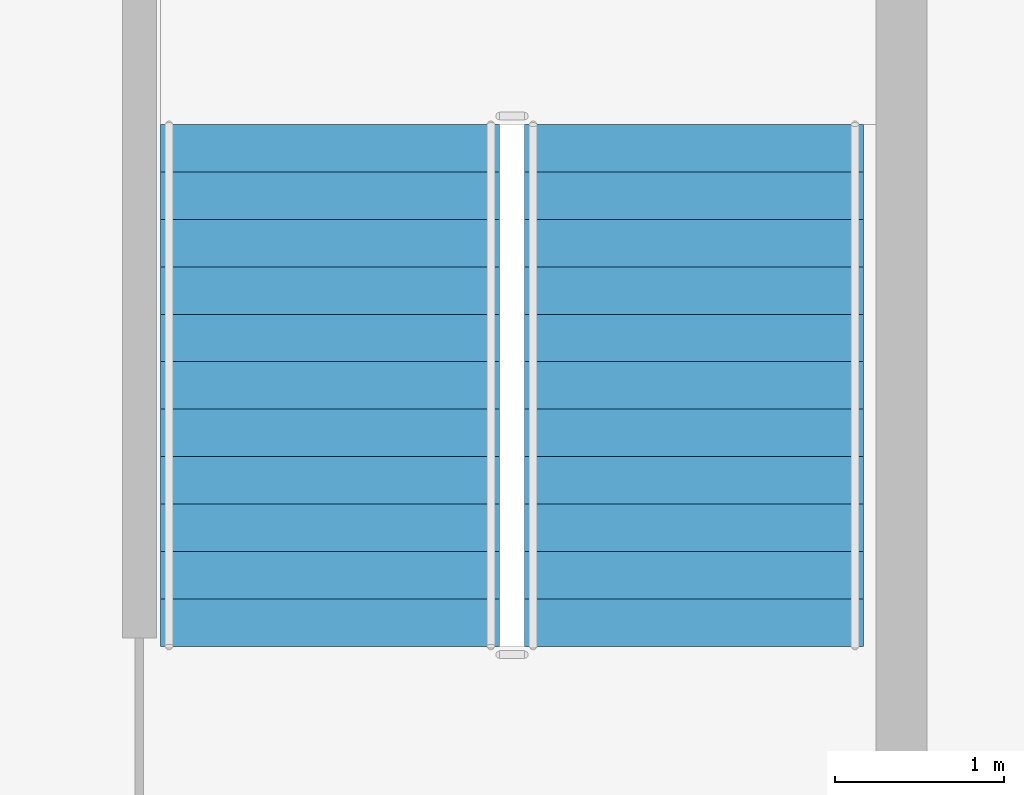
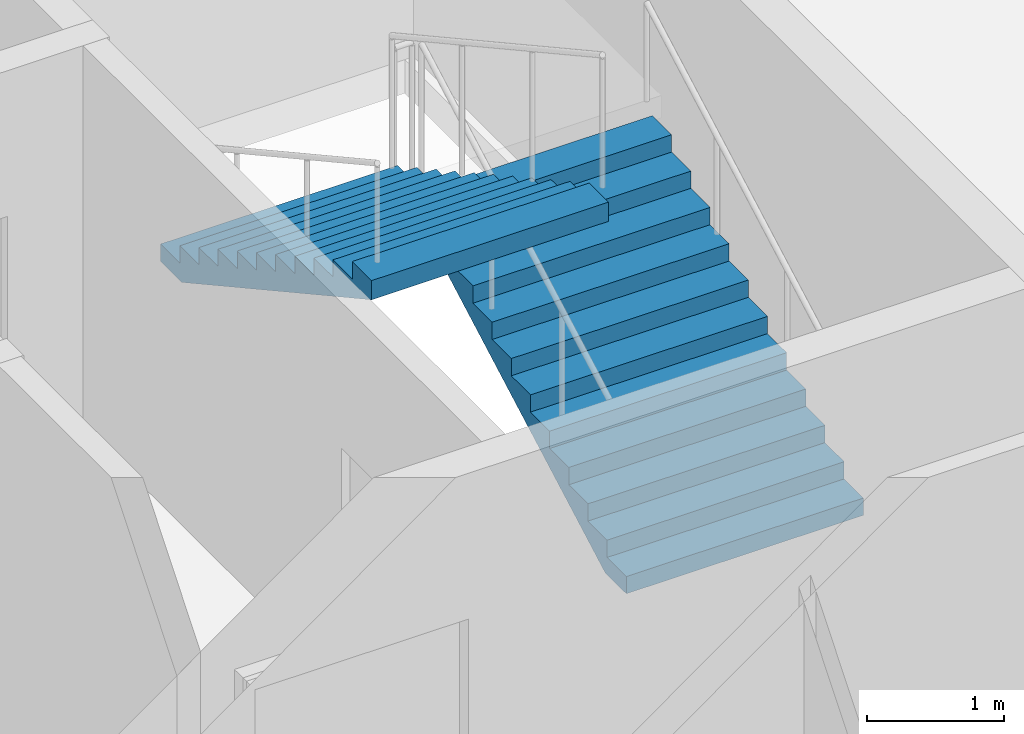
# One storey, part 9 of 11: 2 stair flights, 1 element without a shape of its own.
"""IFC4 building model written with IfcOpenShell, lengths in metres."""

from ifc_helpers import new_model, si_unit, direction, frame, origin, place, context, subcontext, project, spatial, polygons, material, type_object, element, aggregate, save


model = new_model("IFC4")

# Units and contexts
model_context = context("Model", 3, precision=1e-05, world=origin(), true_north=direction((0.0, 1.0)))
body_context = subcontext(model_context, "Body", "Model", "MODEL_VIEW")
ifc_project = project(units=[si_unit("LENGTHUNIT", "METRE"), si_unit("AREAUNIT", "SQUARE_METRE"), si_unit("VOLUMEUNIT", "CUBIC_METRE"), si_unit("PLANEANGLEUNIT", "RADIAN"), si_unit("MASSUNIT", "GRAM", prefix="KILO")], contexts=[model_context])

# Site, building, storey
site_placement = place(None, origin())
site = spatial("IfcSite", under=ifc_project, at=site_placement, CompositionType="ELEMENT")
building_placement = place(site_placement, origin())
building = spatial("IfcBuilding", under=site, at=building_placement, Name="Caravel Reach Hotel and Residences", CompositionType="ELEMENT")
storey_placement = place(building_placement, frame((0.0, 0.0, 225.699951171875)))
storey = spatial("IfcBuildingStorey", under=building, at=storey_placement, Name="L57", CompositionType="ELEMENT", Elevation=225.699951171875)

# Stair, stair flights
ifc_material_1 = material(Name="Concrete C40", Category="concrete")
stair_type = type_object("IfcStairType", Name="Core stair", PredefinedType="HALF_TURN_STAIR", material=ifc_material_1)
stair_placement = place(storey_placement, origin())
stair = element("IfcStair", 1, at=stair_placement, inside=storey, type_object=stair_type, Name="L57 Exit stair B", PredefinedType="HALF_TURN_STAIR")
ifc_material_2 = material(Name="Concrete C40", Category="concrete")
stair_flight_type = type_object("IfcStairFlightType", Name="Core stair flight", PredefinedType="STRAIGHT", material=ifc_material_2)
stair_flight_1_placement = place(storey_placement, frame((43.77490234375, 24.64990234375, 0.0), z_axis=(0.0, 0.0, 1.0), x_axis=(0.0, 1.0, 0.0)))
stair_flight_1 = element("IfcStairFlight", 2, at=stair_flight_1_placement, type_object=stair_flight_type, Name="ST-B flight 1", NumberOfRisers=12, NumberOfTreads=11, PredefinedType="STRAIGHT", RiserHeight=0.154166667, TreadLength=0.28, context=body_context, shape_type="Tessellation", body=[
    polygons([(0.3107950034306102, 1.0, 0.0), (0.3107950034306102, 0.6666666666666667, 0.0), (0.3107950034306102, 0.33333333333333337, 0.0), (0.3107950034306102, 0.0, 0.0), (0.3107950034306102, -0.33333333333333326, 0.0), (0.3107950034306102, -0.6666666666666667, 0.0), (0.3107950034306102, -1.0, 0.0), (3.081, 1.0, 1.524711087717319), (3.081, 0.6666666666666667, 1.524711087717319), (3.081, 0.33333333333333337, 1.524711087717319), (3.081, 0.0, 1.524711087717319), (3.081, -0.33333333333333326, 1.524711087717319), (3.081, -0.6666666666666667, 1.524711087717319), (3.081, -1.0, 1.524711087717319), (3.081, 1.0, 1.695833337), (3.081, 0.6666666666666667, 1.695833337), (3.081, 0.33333333333333337, 1.695833337), (3.081, 0.0, 1.695833337), (3.081, -0.33333333333333326, 1.695833337), (3.081, -0.6666666666666667, 1.695833337), (3.081, -1.0, 1.695833337), (2.8000000000000003, 1.0, 1.695833337), (2.8000000000000003, 0.6666666666666667, 1.695833337), (2.8000000000000003, 0.33333333333333337, 1.695833337), (2.8000000000000003, 0.0, 1.695833337), (2.8000000000000003, -0.33333333333333326, 1.695833337), (2.8000000000000003, -0.6666666666666667, 1.695833337), (2.8000000000000003, -1.0, 1.695833337), (2.8000000000000003, 1.0, 1.5416666700000001), (2.8000000000000003, 0.6666666666666667, 1.5416666700000001), (2.8000000000000003, 0.33333333333333337, 1.5416666700000001), (2.8000000000000003, 0.0, 1.5416666700000001), (2.8000000000000003, -0.33333333333333326, 1.5416666700000001), (2.8000000000000003, -0.6666666666666667, 1.5416666700000001), (2.8000000000000003, -1.0, 1.5416666700000001), (2.5200000000000005, 1.0, 1.5416666700000001), (2.5200000000000005, 0.6666666666666667, 1.5416666700000001), (2.5200000000000005, 0.33333333333333337, 1.5416666700000001), (2.5200000000000005, 0.0, 1.5416666700000001), (2.5200000000000005, -0.33333333333333326, 1.5416666700000001), (2.5200000000000005, -0.6666666666666667, 1.5416666700000001), (2.5200000000000005, -1.0, 1.5416666700000001), (2.5200000000000005, 1.0, 1.387500003), (2.5200000000000005, 0.6666666666666667, 1.387500003), (2.5200000000000005, 0.33333333333333337, 1.387500003), (2.5200000000000005, 0.0, 1.387500003), (2.5200000000000005, -0.33333333333333326, 1.387500003), (2.5200000000000005, -0.6666666666666667, 1.387500003), (2.5200000000000005, -1.0, 1.387500003), (2.24, 1.0, 1.387500003), (2.24, 0.6666666666666667, 1.387500003), (2.24, 0.33333333333333337, 1.387500003), (2.24, 0.0, 1.387500003), (2.24, -0.33333333333333326, 1.387500003), (2.24, -0.6666666666666667, 1.387500003), (2.24, -1.0, 1.387500003), (2.24, 1.0, 1.233333336), (2.24, 0.6666666666666667, 1.233333336), (2.24, 0.33333333333333337, 1.233333336), (2.24, 0.0, 1.233333336), (2.24, -0.33333333333333326, 1.233333336), (2.24, -0.6666666666666667, 1.233333336), (2.24, -1.0, 1.233333336), (1.9600000000000002, 1.0, 1.233333336), (1.9600000000000002, 0.6666666666666667, 1.233333336), (1.9600000000000002, 0.33333333333333337, 1.233333336), (1.9600000000000002, 0.0, 1.233333336), (1.9600000000000002, -0.33333333333333326, 1.233333336), (1.9600000000000002, -0.6666666666666667, 1.233333336), (1.9600000000000002, -1.0, 1.233333336), (1.9600000000000002, 1.0, 1.0791666690000001), (1.9600000000000002, 0.6666666666666667, 1.0791666690000001), (1.9600000000000002, 0.33333333333333337, 1.0791666690000001), (1.9600000000000002, 0.0, 1.0791666690000001), (1.9600000000000002, -0.33333333333333326, 1.0791666690000001), (1.9600000000000002, -0.6666666666666667, 1.0791666690000001), (1.9600000000000002, -1.0, 1.0791666690000001), (1.6800000000000002, 1.0, 1.0791666690000001), (1.6800000000000002, 0.6666666666666667, 1.0791666690000001), (1.6800000000000002, 0.33333333333333337, 1.0791666690000001), (1.6800000000000002, 0.0, 1.0791666690000001), (1.6800000000000002, -0.33333333333333326, 1.0791666690000001), (1.6800000000000002, -0.6666666666666667, 1.0791666690000001), (1.6800000000000002, -1.0, 1.0791666690000001), (1.6800000000000002, 1.0, 0.925000002), (1.6800000000000002, 0.6666666666666667, 0.925000002), (1.6800000000000002, 0.33333333333333337, 0.925000002), (1.6800000000000002, 0.0, 0.925000002), (1.6800000000000002, -0.33333333333333326, 0.925000002), (1.6800000000000002, -0.6666666666666667, 0.925000002), (1.6800000000000002, -1.0, 0.925000002), (1.4000000000000001, 1.0, 0.925000002), (1.4000000000000001, 0.6666666666666667, 0.925000002), (1.4000000000000001, 0.33333333333333337, 0.925000002), (1.4000000000000001, 0.0, 0.925000002), (1.4000000000000001, -0.33333333333333326, 0.925000002), (1.4000000000000001, -0.6666666666666667, 0.925000002), (1.4000000000000001, -1.0, 0.925000002), (1.4000000000000001, 1.0, 0.7708333350000001), (1.4000000000000001, 0.6666666666666667, 0.7708333350000001), (1.4000000000000001, 0.33333333333333337, 0.7708333350000001), (1.4000000000000001, 0.0, 0.7708333350000001), (1.4000000000000001, -0.33333333333333326, 0.7708333350000001), (1.4000000000000001, -0.6666666666666667, 0.7708333350000001), (1.4000000000000001, -1.0, 0.7708333350000001), (1.12, 1.0, 0.7708333350000001), (1.12, 0.6666666666666667, 0.7708333350000001), (1.12, 0.33333333333333337, 0.7708333350000001), (1.12, 0.0, 0.7708333350000001), (1.12, -0.33333333333333326, 0.7708333350000001), (1.12, -0.6666666666666667, 0.7708333350000001), (1.12, -1.0, 0.7708333350000001), (1.12, 1.0, 0.616666668), (1.12, 0.6666666666666667, 0.616666668), (1.12, 0.33333333333333337, 0.616666668), (1.12, 0.0, 0.616666668), (1.12, -0.33333333333333326, 0.616666668), (1.12, -0.6666666666666667, 0.616666668), (1.12, -1.0, 0.616666668), (0.8400000000000001, 1.0, 0.616666668), (0.8400000000000001, 0.6666666666666667, 0.616666668), (0.8400000000000001, 0.33333333333333337, 0.616666668), (0.8400000000000001, 0.0, 0.616666668), (0.8400000000000001, -0.33333333333333326, 0.616666668), (0.8400000000000001, -0.6666666666666667, 0.616666668), (0.8400000000000001, -1.0, 0.616666668), (0.8400000000000001, 1.0, 0.462500001), (0.8400000000000001, 0.6666666666666667, 0.462500001), (0.8400000000000001, 0.33333333333333337, 0.462500001), (0.8400000000000001, 0.0, 0.462500001), (0.8400000000000001, -0.33333333333333326, 0.462500001), (0.8400000000000001, -0.6666666666666667, 0.462500001), (0.8400000000000001, -1.0, 0.462500001), (0.56, 1.0, 0.462500001), (0.56, 0.6666666666666667, 0.462500001), (0.56, 0.33333333333333337, 0.462500001), (0.56, 0.0, 0.462500001), (0.56, -0.33333333333333326, 0.462500001), (0.56, -0.6666666666666667, 0.462500001), (0.56, -1.0, 0.462500001), (0.56, 1.0, 0.308333334), (0.56, 0.6666666666666667, 0.308333334), (0.56, 0.33333333333333337, 0.308333334), (0.56, 0.0, 0.308333334), (0.56, -0.33333333333333326, 0.308333334), (0.56, -0.6666666666666667, 0.308333334), (0.56, -1.0, 0.308333334), (0.28, 1.0, 0.308333334), (0.28, 0.6666666666666667, 0.308333334), (0.28, 0.33333333333333337, 0.308333334), (0.28, 0.0, 0.308333334), (0.28, -0.33333333333333326, 0.308333334), (0.28, -0.6666666666666667, 0.308333334), (0.28, -1.0, 0.308333334), (0.28, 1.0, 0.154166667), (0.28, 0.6666666666666667, 0.154166667), (0.28, 0.33333333333333337, 0.154166667), (0.28, 0.0, 0.154166667), (0.28, -0.33333333333333326, 0.154166667), (0.28, -0.6666666666666667, 0.154166667), (0.28, -1.0, 0.154166667), (-0.001, 1.0, 0.154166667), (-0.001, 0.6666666666666667, 0.154166667), (-0.001, 0.33333333333333337, 0.154166667), (-0.001, 0.0, 0.154166667), (-0.001, -0.33333333333333326, 0.154166667), (-0.001, -0.6666666666666667, 0.154166667), (-0.001, -1.0, 0.154166667), (-0.001, 1.0, 0.0), (-0.001, 0.6666666666666667, 0.0), (-0.001, 0.33333333333333337, 0.0), (-0.001, 0.0, 0.0), (-0.001, -0.33333333333333326, 0.0), (-0.001, -0.6666666666666667, 0.0), (-0.001, -1.0, 0.0)], [[[169, 162, 155, 148, 141, 134, 127, 120, 113, 106, 99, 92, 85, 78, 71, 64, 57, 50, 43, 36, 29, 22, 15, 8, 1]], [[7, 14, 21, 28, 35, 42, 49, 56, 63, 70, 77, 84, 91, 98, 105, 112, 119, 126, 133, 140, 147, 154, 161, 168, 175]], [[1, 8, 9, 2]], [[2, 9, 10, 3]], [[3, 10, 11, 4]], [[4, 11, 12, 5]], [[5, 12, 13, 6]], [[6, 13, 14, 7]], [[8, 15, 16, 9]], [[9, 16, 17, 10]], [[10, 17, 18, 11]], [[11, 18, 19, 12]], [[12, 19, 20, 13]], [[13, 20, 21, 14]], [[15, 22, 23, 16]], [[16, 23, 24, 17]], [[17, 24, 25, 18]], [[18, 25, 26, 19]], [[19, 26, 27, 20]], [[20, 27, 28, 21]], [[22, 29, 30, 23]], [[23, 30, 31, 24]], [[24, 31, 32, 25]], [[25, 32, 33, 26]], [[26, 33, 34, 27]], [[27, 34, 35, 28]], [[29, 36, 37, 30]], [[30, 37, 38, 31]], [[31, 38, 39, 32]], [[32, 39, 40, 33]], [[33, 40, 41, 34]], [[34, 41, 42, 35]], [[36, 43, 44, 37]], [[37, 44, 45, 38]], [[38, 45, 46, 39]], [[39, 46, 47, 40]], [[40, 47, 48, 41]], [[41, 48, 49, 42]], [[43, 50, 51, 44]], [[44, 51, 52, 45]], [[45, 52, 53, 46]], [[46, 53, 54, 47]], [[47, 54, 55, 48]], [[48, 55, 56, 49]], [[50, 57, 58, 51]], [[51, 58, 59, 52]], [[52, 59, 60, 53]], [[53, 60, 61, 54]], [[54, 61, 62, 55]], [[55, 62, 63, 56]], [[57, 64, 65, 58]], [[58, 65, 66, 59]], [[59, 66, 67, 60]], [[60, 67, 68, 61]], [[61, 68, 69, 62]], [[62, 69, 70, 63]], [[64, 71, 72, 65]], [[65, 72, 73, 66]], [[66, 73, 74, 67]], [[67, 74, 75, 68]], [[68, 75, 76, 69]], [[69, 76, 77, 70]], [[71, 78, 79, 72]], [[72, 79, 80, 73]], [[73, 80, 81, 74]], [[74, 81, 82, 75]], [[75, 82, 83, 76]], [[76, 83, 84, 77]], [[78, 85, 86, 79]], [[79, 86, 87, 80]], [[80, 87, 88, 81]], [[81, 88, 89, 82]], [[82, 89, 90, 83]], [[83, 90, 91, 84]], [[85, 92, 93, 86]], [[86, 93, 94, 87]], [[87, 94, 95, 88]], [[88, 95, 96, 89]], [[89, 96, 97, 90]], [[90, 97, 98, 91]], [[92, 99, 100, 93]], [[93, 100, 101, 94]], [[94, 101, 102, 95]], [[95, 102, 103, 96]], [[96, 103, 104, 97]], [[97, 104, 105, 98]], [[99, 106, 107, 100]], [[100, 107, 108, 101]], [[101, 108, 109, 102]], [[102, 109, 110, 103]], [[103, 110, 111, 104]], [[104, 111, 112, 105]], [[106, 113, 114, 107]], [[107, 114, 115, 108]], [[108, 115, 116, 109]], [[109, 116, 117, 110]], [[110, 117, 118, 111]], [[111, 118, 119, 112]], [[113, 120, 121, 114]], [[114, 121, 122, 115]], [[115, 122, 123, 116]], [[116, 123, 124, 117]], [[117, 124, 125, 118]], [[118, 125, 126, 119]], [[120, 127, 128, 121]], [[121, 128, 129, 122]], [[122, 129, 130, 123]], [[123, 130, 131, 124]], [[124, 131, 132, 125]], [[125, 132, 133, 126]], [[127, 134, 135, 128]], [[128, 135, 136, 129]], [[129, 136, 137, 130]], [[130, 137, 138, 131]], [[131, 138, 139, 132]], [[132, 139, 140, 133]], [[134, 141, 142, 135]], [[135, 142, 143, 136]], [[136, 143, 144, 137]], [[137, 144, 145, 138]], [[138, 145, 146, 139]], [[139, 146, 147, 140]], [[141, 148, 149, 142]], [[142, 149, 150, 143]], [[143, 150, 151, 144]], [[144, 151, 152, 145]], [[145, 152, 153, 146]], [[146, 153, 154, 147]], [[148, 155, 156, 149]], [[149, 156, 157, 150]], [[150, 157, 158, 151]], [[151, 158, 159, 152]], [[152, 159, 160, 153]], [[153, 160, 161, 154]], [[155, 162, 163, 156]], [[156, 163, 164, 157]], [[157, 164, 165, 158]], [[158, 165, 166, 159]], [[159, 166, 167, 160]], [[160, 167, 168, 161]], [[162, 169, 170, 163]], [[163, 170, 171, 164]], [[164, 171, 172, 165]], [[165, 172, 173, 166]], [[166, 173, 174, 167]], [[167, 174, 175, 168]], [[169, 1, 2, 170]], [[170, 2, 3, 171]], [[171, 3, 4, 172]], [[172, 4, 5, 173]], [[173, 5, 6, 174]], [[174, 6, 7, 175]]], closed=True),
])
stair_flight_2_placement = place(storey_placement, frame((41.625, 27.72998046875, 1.85009765625), z_axis=(0.0, 0.0, 1.0), x_axis=(0.0, -1.0, 0.0)))
stair_flight_2 = element("IfcStairFlight", 3, at=stair_flight_2_placement, type_object=stair_flight_type, Name="ST-B flight 2", NumberOfRisers=12, NumberOfTreads=11, PredefinedType="STRAIGHT", RiserHeight=0.154166667, TreadLength=0.28, context=body_context, shape_type="Tessellation", body=[
    polygons([(0.3107950034306102, 1.0, 0.0), (0.3107950034306102, 0.6666666666666667, 0.0), (0.3107950034306102, 0.33333333333333337, 0.0), (0.3107950034306102, 0.0, 0.0), (0.3107950034306102, -0.33333333333333326, 0.0), (0.3107950034306102, -0.6666666666666667, 0.0), (0.3107950034306102, -1.0, 0.0), (3.081, 1.0, 1.524711087717319), (3.081, 0.6666666666666667, 1.524711087717319), (3.081, 0.33333333333333337, 1.524711087717319), (3.081, 0.0, 1.524711087717319), (3.081, -0.33333333333333326, 1.524711087717319), (3.081, -0.6666666666666667, 1.524711087717319), (3.081, -1.0, 1.524711087717319), (3.081, 1.0, 1.695833337), (3.081, 0.6666666666666667, 1.695833337), (3.081, 0.33333333333333337, 1.695833337), (3.081, 0.0, 1.695833337), (3.081, -0.33333333333333326, 1.695833337), (3.081, -0.6666666666666667, 1.695833337), (3.081, -1.0, 1.695833337), (2.8000000000000003, 1.0, 1.695833337), (2.8000000000000003, 0.6666666666666667, 1.695833337), (2.8000000000000003, 0.33333333333333337, 1.695833337), (2.8000000000000003, 0.0, 1.695833337), (2.8000000000000003, -0.33333333333333326, 1.695833337), (2.8000000000000003, -0.6666666666666667, 1.695833337), (2.8000000000000003, -1.0, 1.695833337), (2.8000000000000003, 1.0, 1.5416666700000001), (2.8000000000000003, 0.6666666666666667, 1.5416666700000001), (2.8000000000000003, 0.33333333333333337, 1.5416666700000001), (2.8000000000000003, 0.0, 1.5416666700000001), (2.8000000000000003, -0.33333333333333326, 1.5416666700000001), (2.8000000000000003, -0.6666666666666667, 1.5416666700000001), (2.8000000000000003, -1.0, 1.5416666700000001), (2.5200000000000005, 1.0, 1.5416666700000001), (2.5200000000000005, 0.6666666666666667, 1.5416666700000001), (2.5200000000000005, 0.33333333333333337, 1.5416666700000001), (2.5200000000000005, 0.0, 1.5416666700000001), (2.5200000000000005, -0.33333333333333326, 1.5416666700000001), (2.5200000000000005, -0.6666666666666667, 1.5416666700000001), (2.5200000000000005, -1.0, 1.5416666700000001), (2.5200000000000005, 1.0, 1.387500003), (2.5200000000000005, 0.6666666666666667, 1.387500003), (2.5200000000000005, 0.33333333333333337, 1.387500003), (2.5200000000000005, 0.0, 1.387500003), (2.5200000000000005, -0.33333333333333326, 1.387500003), (2.5200000000000005, -0.6666666666666667, 1.387500003), (2.5200000000000005, -1.0, 1.387500003), (2.24, 1.0, 1.387500003), (2.24, 0.6666666666666667, 1.387500003), (2.24, 0.33333333333333337, 1.387500003), (2.24, 0.0, 1.387500003), (2.24, -0.33333333333333326, 1.387500003), (2.24, -0.6666666666666667, 1.387500003), (2.24, -1.0, 1.387500003), (2.24, 1.0, 1.233333336), (2.24, 0.6666666666666667, 1.233333336), (2.24, 0.33333333333333337, 1.233333336), (2.24, 0.0, 1.233333336), (2.24, -0.33333333333333326, 1.233333336), (2.24, -0.6666666666666667, 1.233333336), (2.24, -1.0, 1.233333336), (1.9600000000000002, 1.0, 1.233333336), (1.9600000000000002, 0.6666666666666667, 1.233333336), (1.9600000000000002, 0.33333333333333337, 1.233333336), (1.9600000000000002, 0.0, 1.233333336), (1.9600000000000002, -0.33333333333333326, 1.233333336), (1.9600000000000002, -0.6666666666666667, 1.233333336), (1.9600000000000002, -1.0, 1.233333336), (1.9600000000000002, 1.0, 1.0791666690000001), (1.9600000000000002, 0.6666666666666667, 1.0791666690000001), (1.9600000000000002, 0.33333333333333337, 1.0791666690000001), (1.9600000000000002, 0.0, 1.0791666690000001), (1.9600000000000002, -0.33333333333333326, 1.0791666690000001), (1.9600000000000002, -0.6666666666666667, 1.0791666690000001), (1.9600000000000002, -1.0, 1.0791666690000001), (1.6800000000000002, 1.0, 1.0791666690000001), (1.6800000000000002, 0.6666666666666667, 1.0791666690000001), (1.6800000000000002, 0.33333333333333337, 1.0791666690000001), (1.6800000000000002, 0.0, 1.0791666690000001), (1.6800000000000002, -0.33333333333333326, 1.0791666690000001), (1.6800000000000002, -0.6666666666666667, 1.0791666690000001), (1.6800000000000002, -1.0, 1.0791666690000001), (1.6800000000000002, 1.0, 0.925000002), (1.6800000000000002, 0.6666666666666667, 0.925000002), (1.6800000000000002, 0.33333333333333337, 0.925000002), (1.6800000000000002, 0.0, 0.925000002), (1.6800000000000002, -0.33333333333333326, 0.925000002), (1.6800000000000002, -0.6666666666666667, 0.925000002), (1.6800000000000002, -1.0, 0.925000002), (1.4000000000000001, 1.0, 0.925000002), (1.4000000000000001, 0.6666666666666667, 0.925000002), (1.4000000000000001, 0.33333333333333337, 0.925000002), (1.4000000000000001, 0.0, 0.925000002), (1.4000000000000001, -0.33333333333333326, 0.925000002), (1.4000000000000001, -0.6666666666666667, 0.925000002), (1.4000000000000001, -1.0, 0.925000002), (1.4000000000000001, 1.0, 0.7708333350000001), (1.4000000000000001, 0.6666666666666667, 0.7708333350000001), (1.4000000000000001, 0.33333333333333337, 0.7708333350000001), (1.4000000000000001, 0.0, 0.7708333350000001), (1.4000000000000001, -0.33333333333333326, 0.7708333350000001), (1.4000000000000001, -0.6666666666666667, 0.7708333350000001), (1.4000000000000001, -1.0, 0.7708333350000001), (1.12, 1.0, 0.7708333350000001), (1.12, 0.6666666666666667, 0.7708333350000001), (1.12, 0.33333333333333337, 0.7708333350000001), (1.12, 0.0, 0.7708333350000001), (1.12, -0.33333333333333326, 0.7708333350000001), (1.12, -0.6666666666666667, 0.7708333350000001), (1.12, -1.0, 0.7708333350000001), (1.12, 1.0, 0.616666668), (1.12, 0.6666666666666667, 0.616666668), (1.12, 0.33333333333333337, 0.616666668), (1.12, 0.0, 0.616666668), (1.12, -0.33333333333333326, 0.616666668), (1.12, -0.6666666666666667, 0.616666668), (1.12, -1.0, 0.616666668), (0.8400000000000001, 1.0, 0.616666668), (0.8400000000000001, 0.6666666666666667, 0.616666668), (0.8400000000000001, 0.33333333333333337, 0.616666668), (0.8400000000000001, 0.0, 0.616666668), (0.8400000000000001, -0.33333333333333326, 0.616666668), (0.8400000000000001, -0.6666666666666667, 0.616666668), (0.8400000000000001, -1.0, 0.616666668), (0.8400000000000001, 1.0, 0.462500001), (0.8400000000000001, 0.6666666666666667, 0.462500001), (0.8400000000000001, 0.33333333333333337, 0.462500001), (0.8400000000000001, 0.0, 0.462500001), (0.8400000000000001, -0.33333333333333326, 0.462500001), (0.8400000000000001, -0.6666666666666667, 0.462500001), (0.8400000000000001, -1.0, 0.462500001), (0.56, 1.0, 0.462500001), (0.56, 0.6666666666666667, 0.462500001), (0.56, 0.33333333333333337, 0.462500001), (0.56, 0.0, 0.462500001), (0.56, -0.33333333333333326, 0.462500001), (0.56, -0.6666666666666667, 0.462500001), (0.56, -1.0, 0.462500001), (0.56, 1.0, 0.308333334), (0.56, 0.6666666666666667, 0.308333334), (0.56, 0.33333333333333337, 0.308333334), (0.56, 0.0, 0.308333334), (0.56, -0.33333333333333326, 0.308333334), (0.56, -0.6666666666666667, 0.308333334), (0.56, -1.0, 0.308333334), (0.28, 1.0, 0.308333334), (0.28, 0.6666666666666667, 0.308333334), (0.28, 0.33333333333333337, 0.308333334), (0.28, 0.0, 0.308333334), (0.28, -0.33333333333333326, 0.308333334), (0.28, -0.6666666666666667, 0.308333334), (0.28, -1.0, 0.308333334), (0.28, 1.0, 0.154166667), (0.28, 0.6666666666666667, 0.154166667), (0.28, 0.33333333333333337, 0.154166667), (0.28, 0.0, 0.154166667), (0.28, -0.33333333333333326, 0.154166667), (0.28, -0.6666666666666667, 0.154166667), (0.28, -1.0, 0.154166667), (-0.001, 1.0, 0.154166667), (-0.001, 0.6666666666666667, 0.154166667), (-0.001, 0.33333333333333337, 0.154166667), (-0.001, 0.0, 0.154166667), (-0.001, -0.33333333333333326, 0.154166667), (-0.001, -0.6666666666666667, 0.154166667), (-0.001, -1.0, 0.154166667), (-0.001, 1.0, 0.0), (-0.001, 0.6666666666666667, 0.0), (-0.001, 0.33333333333333337, 0.0), (-0.001, 0.0, 0.0), (-0.001, -0.33333333333333326, 0.0), (-0.001, -0.6666666666666667, 0.0), (-0.001, -1.0, 0.0)], [[[169, 162, 155, 148, 141, 134, 127, 120, 113, 106, 99, 92, 85, 78, 71, 64, 57, 50, 43, 36, 29, 22, 15, 8, 1]], [[7, 14, 21, 28, 35, 42, 49, 56, 63, 70, 77, 84, 91, 98, 105, 112, 119, 126, 133, 140, 147, 154, 161, 168, 175]], [[1, 8, 9, 2]], [[2, 9, 10, 3]], [[3, 10, 11, 4]], [[4, 11, 12, 5]], [[5, 12, 13, 6]], [[6, 13, 14, 7]], [[8, 15, 16, 9]], [[9, 16, 17, 10]], [[10, 17, 18, 11]], [[11, 18, 19, 12]], [[12, 19, 20, 13]], [[13, 20, 21, 14]], [[15, 22, 23, 16]], [[16, 23, 24, 17]], [[17, 24, 25, 18]], [[18, 25, 26, 19]], [[19, 26, 27, 20]], [[20, 27, 28, 21]], [[22, 29, 30, 23]], [[23, 30, 31, 24]], [[24, 31, 32, 25]], [[25, 32, 33, 26]], [[26, 33, 34, 27]], [[27, 34, 35, 28]], [[29, 36, 37, 30]], [[30, 37, 38, 31]], [[31, 38, 39, 32]], [[32, 39, 40, 33]], [[33, 40, 41, 34]], [[34, 41, 42, 35]], [[36, 43, 44, 37]], [[37, 44, 45, 38]], [[38, 45, 46, 39]], [[39, 46, 47, 40]], [[40, 47, 48, 41]], [[41, 48, 49, 42]], [[43, 50, 51, 44]], [[44, 51, 52, 45]], [[45, 52, 53, 46]], [[46, 53, 54, 47]], [[47, 54, 55, 48]], [[48, 55, 56, 49]], [[50, 57, 58, 51]], [[51, 58, 59, 52]], [[52, 59, 60, 53]], [[53, 60, 61, 54]], [[54, 61, 62, 55]], [[55, 62, 63, 56]], [[57, 64, 65, 58]], [[58, 65, 66, 59]], [[59, 66, 67, 60]], [[60, 67, 68, 61]], [[61, 68, 69, 62]], [[62, 69, 70, 63]], [[64, 71, 72, 65]], [[65, 72, 73, 66]], [[66, 73, 74, 67]], [[67, 74, 75, 68]], [[68, 75, 76, 69]], [[69, 76, 77, 70]], [[71, 78, 79, 72]], [[72, 79, 80, 73]], [[73, 80, 81, 74]], [[74, 81, 82, 75]], [[75, 82, 83, 76]], [[76, 83, 84, 77]], [[78, 85, 86, 79]], [[79, 86, 87, 80]], [[80, 87, 88, 81]], [[81, 88, 89, 82]], [[82, 89, 90, 83]], [[83, 90, 91, 84]], [[85, 92, 93, 86]], [[86, 93, 94, 87]], [[87, 94, 95, 88]], [[88, 95, 96, 89]], [[89, 96, 97, 90]], [[90, 97, 98, 91]], [[92, 99, 100, 93]], [[93, 100, 101, 94]], [[94, 101, 102, 95]], [[95, 102, 103, 96]], [[96, 103, 104, 97]], [[97, 104, 105, 98]], [[99, 106, 107, 100]], [[100, 107, 108, 101]], [[101, 108, 109, 102]], [[102, 109, 110, 103]], [[103, 110, 111, 104]], [[104, 111, 112, 105]], [[106, 113, 114, 107]], [[107, 114, 115, 108]], [[108, 115, 116, 109]], [[109, 116, 117, 110]], [[110, 117, 118, 111]], [[111, 118, 119, 112]], [[113, 120, 121, 114]], [[114, 121, 122, 115]], [[115, 122, 123, 116]], [[116, 123, 124, 117]], [[117, 124, 125, 118]], [[118, 125, 126, 119]], [[120, 127, 128, 121]], [[121, 128, 129, 122]], [[122, 129, 130, 123]], [[123, 130, 131, 124]], [[124, 131, 132, 125]], [[125, 132, 133, 126]], [[127, 134, 135, 128]], [[128, 135, 136, 129]], [[129, 136, 137, 130]], [[130, 137, 138, 131]], [[131, 138, 139, 132]], [[132, 139, 140, 133]], [[134, 141, 142, 135]], [[135, 142, 143, 136]], [[136, 143, 144, 137]], [[137, 144, 145, 138]], [[138, 145, 146, 139]], [[139, 146, 147, 140]], [[141, 148, 149, 142]], [[142, 149, 150, 143]], [[143, 150, 151, 144]], [[144, 151, 152, 145]], [[145, 152, 153, 146]], [[146, 153, 154, 147]], [[148, 155, 156, 149]], [[149, 156, 157, 150]], [[150, 157, 158, 151]], [[151, 158, 159, 152]], [[152, 159, 160, 153]], [[153, 160, 161, 154]], [[155, 162, 163, 156]], [[156, 163, 164, 157]], [[157, 164, 165, 158]], [[158, 165, 166, 159]], [[159, 166, 167, 160]], [[160, 167, 168, 161]], [[162, 169, 170, 163]], [[163, 170, 171, 164]], [[164, 171, 172, 165]], [[165, 172, 173, 166]], [[166, 173, 174, 167]], [[167, 174, 175, 168]], [[169, 1, 2, 170]], [[170, 2, 3, 171]], [[171, 3, 4, 172]], [[172, 4, 5, 173]], [[173, 5, 6, 174]], [[174, 6, 7, 175]]], closed=True),
])
aggregate(stair, [stair_flight_1, stair_flight_2])

save(model, "model.ifc")
